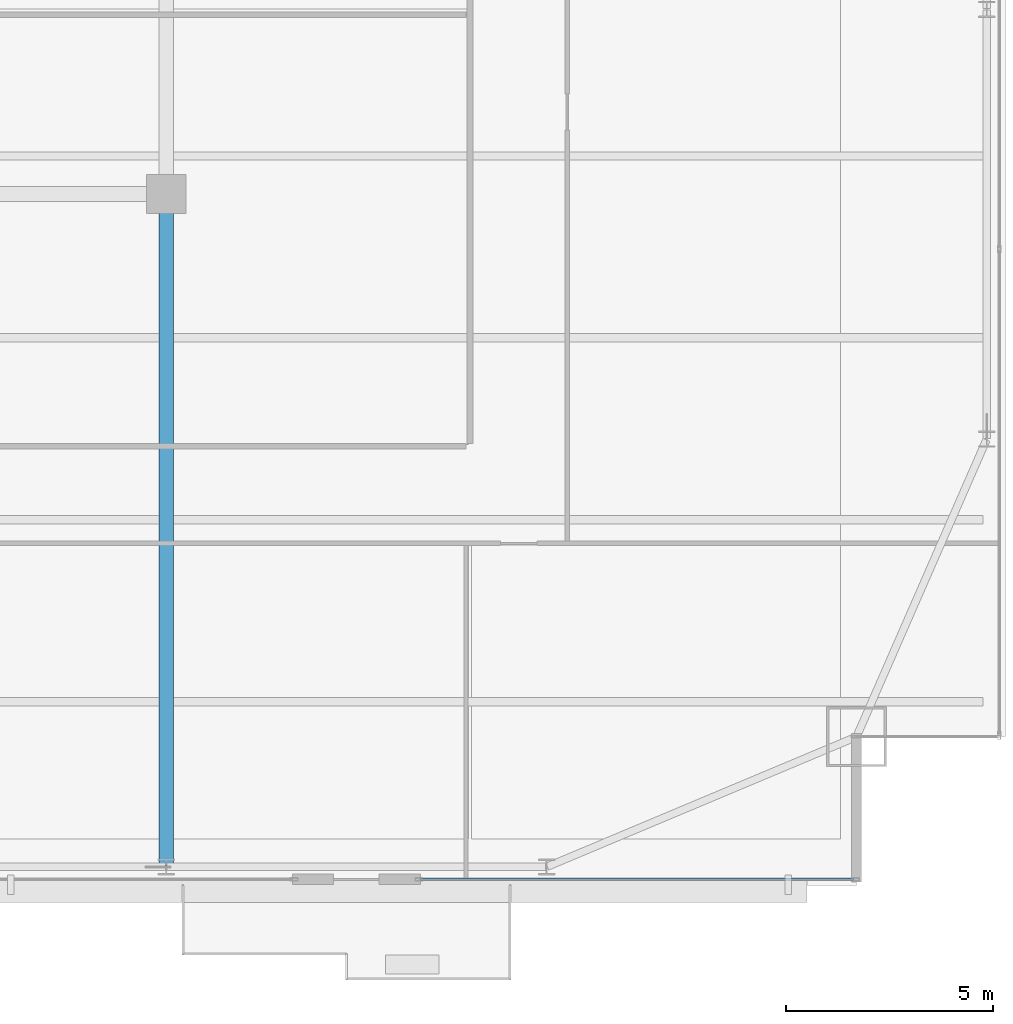
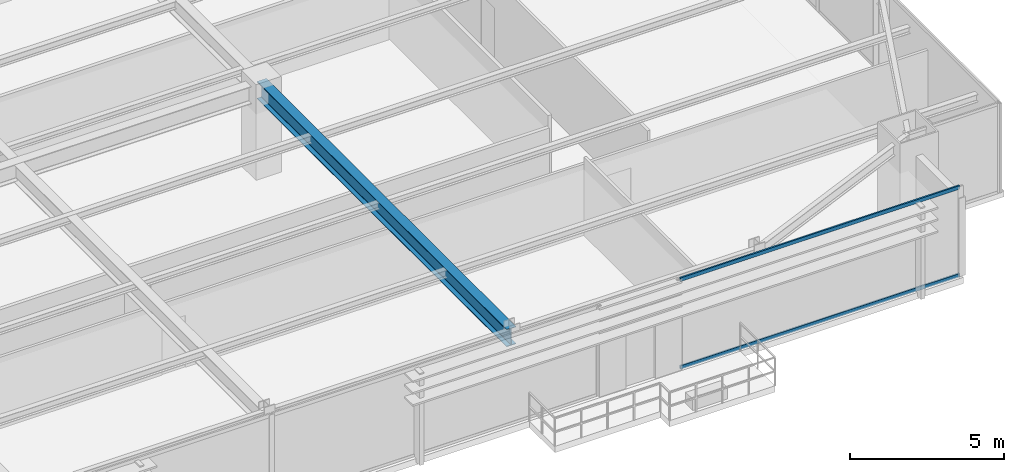
# One storey, part 13 of 36: 2 members, 1 beam, 1 element without a shape of its own.
"""IFC4 building model written with IfcOpenShell, lengths in metres."""

from ifc_helpers import new_model, si_unit, direction, frame, origin, origin_2d, place, context, subcontext, project, spatial, hollow_rectangle, i_section, extrude, source, transform, mapped, material, layer, layer_set, material_profile, profile_set, type_object, type_shapes, element, aggregate, save


model = new_model("IFC4")

# Units and contexts
model_context = context("Model", 3, precision=1e-05, world=origin(), true_north=direction((0.0, 1.0)))
body_context = subcontext(model_context, "Body", "Model", "MODEL_VIEW")
ifc_project = project(units=[si_unit("LENGTHUNIT", "METRE"), si_unit("AREAUNIT", "SQUARE_METRE"), si_unit("VOLUMEUNIT", "CUBIC_METRE"), si_unit("PLANEANGLEUNIT", "RADIAN"), si_unit("MASSUNIT", "GRAM", prefix="KILO")], contexts=[model_context])

# Site, building, storey
site_placement = place(None, origin())
site = spatial("IfcSite", under=ifc_project, at=site_placement, CompositionType="ELEMENT")
building_placement = place(site_placement, origin())
building = spatial("IfcBuilding", under=site, at=building_placement, Name="Varnel Quay Broadcast Tower", CompositionType="ELEMENT")
storey_placement = place(building_placement, frame((0.0, 0.0, 114.39990234375)))
storey = spatial("IfcBuildingStorey", under=building, at=storey_placement, Name="L27", CompositionType="ELEMENT", Elevation=114.39990234375)

# Beam
ifc_material_1 = material(Name="Structural Steel CSA G40.21 350W", Category="steel")
ifc_material_profile_1 = material_profile(ifc_material_1, i_section(OverallWidth=0.35498046875, OverallDepth=0.695068359375, WebThickness=0.015380859375, FlangeThickness=0.02490234375, FilletRadius=0.01806640625, at=origin_2d()), Name="W690X217")
ifc_profile_set_1 = profile_set([ifc_material_profile_1], Name="Structural Steel CSA G40.21 350W")
beam_type = type_object("IfcBeamType", Name="Girder_W690X217", PredefinedType="BEAM", material=ifc_profile_set_1)
shared_shape_1 = source(origin(), body_context, "Body", "SweptSolid", [
    extrude(i_section(OverallWidth=0.35498046875, OverallDepth=0.695068359375, WebThickness=0.015380859375, FlangeThickness=0.02490234375, FilletRadius=0.01806640625, at=origin_2d()), origin(), (0.0, 0.0, 1.0), 16.239990234375),
])
type_shapes(beam_type, [shared_shape_1])
beam_placement = place(storey_placement, frame((43.199951171875, 4.669921875, 3.20263671875), z_axis=(0.0, 1.0, 0.0), x_axis=(-1.0, 0.0, 0.0)))
element("IfcBeam", 1, at=beam_placement, inside=storey, type_object=beam_type, Name="L27 Primary Girder TC-S4-IC-02", PredefinedType="BEAM", context=body_context, shape_type="MappedRepresentation", body=[
    mapped(shared_shape_1, transform((0.0, 0.0, 0.0), x_axis=(1.0, 0.0, 0.0), y_axis=(0.0, 1.0, 0.0), z_axis=(0.0, 0.0, 1.0), scale=1.0)),
])

# Curtain wall, members
ifc_material_2 = material(Name="Anodised Bronze Aluminium 6063-T6", Category="aluminium")
ifc_layer = layer(ifc_material_2, 0.18994140625, Name="Anodised Bronze Aluminium 6063-T6")
ifc_layer_set = layer_set([ifc_layer], Name="Anodised Bronze Aluminium 6063-T6")
curtain_wall_type = type_object("IfcCurtainWallType", Name="CW_LowerTower", PredefinedType="NOTDEFINED", material=ifc_layer_set)
curtain_wall_placement = place(storey_placement, origin())
curtain_wall = element("IfcCurtainWall", 2, at=curtain_wall_placement, inside=storey, type_object=curtain_wall_type, Name="L27 South Unitised Curtain Wall 3", PredefinedType="NOTDEFINED")
ifc_material_profile_2 = material_profile(ifc_material_2, hollow_rectangle(XDim=0.06005859375, YDim=0.14501953125, WallThickness=0.00341796875, at=origin_2d()), Name="ALU60X145X3.5")
ifc_profile_set_2 = profile_set([ifc_material_profile_2], Name="Anodised Bronze Aluminium 6063-T6")
member_type = type_object("IfcMemberType", Name="Tran_CWS-02", PredefinedType="USERDEFINED", material=ifc_profile_set_2)
shared_shape_2 = source(origin(), body_context, "Body", "SweptSolid", [
    extrude(hollow_rectangle(XDim=0.06005859375, YDim=0.14501953125, WallThickness=0.00341796875, at=origin_2d()), origin(), (0.0, 0.0, 1.0), 10.47998046875),
])
type_shapes(member_type, [shared_shape_2])
member_1_placement = place(storey_placement, frame((49.35009765625, 4.35009765625, 0.030029296875), z_axis=(1.0, 0.0, 0.0), x_axis=(0.0, 1.0, 0.0)))
member_1 = element("IfcMember", 3, at=member_1_placement, type_object=member_type, Name="CWS-02 transom 1.1", ObjectType="TRANSOM", PredefinedType="USERDEFINED", context=body_context, shape_type="MappedRepresentation", body=[
    mapped(shared_shape_2, transform((0.0, 0.0, 0.0), x_axis=(1.0, 0.0, 0.0), y_axis=(0.0, 1.0, 0.0), z_axis=(0.0, 0.0, 1.0), scale=1.0)),
])
member_2_placement = place(storey_placement, frame((49.35009765625, 4.35009765625, 3.52001953125), z_axis=(1.0, 0.0, 0.0), x_axis=(0.0, 1.0, 0.0)))
member_2 = element("IfcMember", 4, at=member_2_placement, type_object=member_type, Name="CWS-02 transom 1.2", ObjectType="TRANSOM", PredefinedType="USERDEFINED", context=body_context, shape_type="MappedRepresentation", body=[
    mapped(shared_shape_2, transform((0.0, 0.0, 0.0), x_axis=(1.0, 0.0, 0.0), y_axis=(0.0, 1.0, 0.0), z_axis=(0.0, 0.0, 1.0), scale=1.0)),
])
aggregate(curtain_wall, [member_1, member_2])

save(model, "model.ifc")
